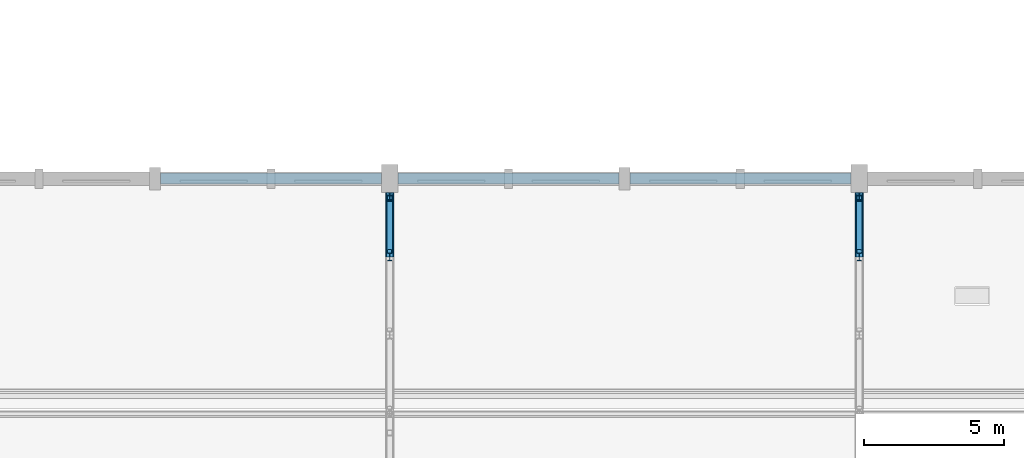
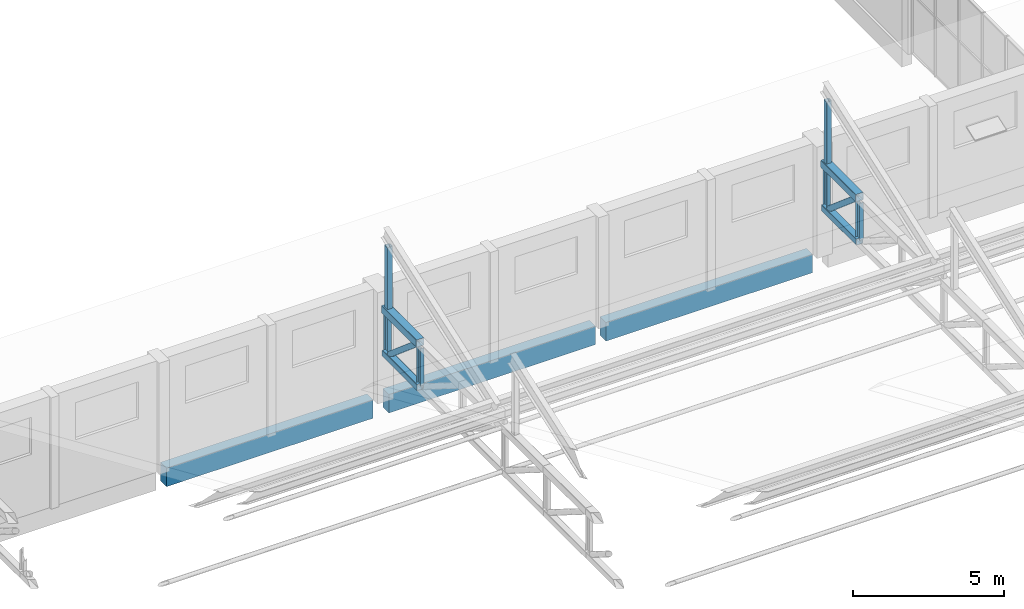
# One storey, part 33 of 101: 12 members, 3 beams.
"""IFC4 building model written with IfcOpenShell, lengths in metres."""

import ifcopenshell
import ifcopenshell.guid

model = None  # the IFC model being written
_history = None  # IfcOwnerHistory: only IFC2X3 demands one
_inside = {}  # id of a spatial element -> (the spatial element, [elements in it])
_under = {}  # id of a project, library or spatial element -> (it, [spatial elements below it])
_declared = {}  # id of a project -> (the project, [libraries it declares])
_typed = {}  # id of a type object -> (the type object, [elements of that type])
_made_of = {}  # id of a material, layer set ... -> (it, [elements and type objects made of it])


def new_model(schema):
    """Start an empty IFC model of exactly this schema.

    Asked for "IFC4X3", IfcOpenShell would pick the latest addendum, in which some entities
    have other attributes; the version numbers below select the first issue.
    IFC2X3 requires an IfcOwnerHistory on every rooted entity: one is made here for all.
    """
    global model, _history
    if schema == "IFC4X3":
        model = ifcopenshell.file(schema_version=(4, 3, 0, 0))
    else:
        model = ifcopenshell.file(schema=schema)
    _inside.clear()
    _under.clear()
    _declared.clear()
    _typed.clear()
    _made_of.clear()
    _history = None
    if model.schema == "IFC2X3":
        org = make("IfcOrganization", Name="unknown")
        user = make(
            "IfcPersonAndOrganization",
            ThePerson=make("IfcPerson", FamilyName="unknown"),
            TheOrganization=org,
        )
        app = make(
            "IfcApplication",
            ApplicationDeveloper=org,
            Version="unknown",
            ApplicationFullName="unknown",
            ApplicationIdentifier="unknown",
        )
        _history = make(
            "IfcOwnerHistory",
            OwningUser=user,
            OwningApplication=app,
            ChangeAction="ADDED",
            CreationDate=0,
        )
    return model


def make(cls, **values):
    """One entity of the class cls with the attributes given. An attribute that is None is left unset."""
    return model.create_entity(
        cls, **{name: value for name, value in values.items() if value is not None}
    )


def rooted(cls, **values):
    """An entity with a GlobalId (a new one), such as an element, a storey or a relation."""
    return make(cls, GlobalId=ifcopenshell.guid.new(), OwnerHistory=_history, **values)


def si_unit(unit_type, name, prefix=None):
    """IfcSIUnit, for example si_unit("LENGTHUNIT", "METRE", prefix="MILLI")."""
    return make("IfcSIUnit", UnitType=unit_type, Prefix=prefix, Name=name)


def assignment(units):
    """IfcUnitAssignment: the units of a project."""
    return None if units is None else make("IfcUnitAssignment", Units=units)


def point(xyz):
    """IfcCartesianPoint."""
    return None if xyz is None else make("IfcCartesianPoint", Coordinates=xyz)


def direction(xyz):
    """IfcDirection."""
    return None if xyz is None else make("IfcDirection", DirectionRatios=xyz)


def frame(location, z_axis=None, x_axis=None):
    """IfcAxis2Placement3D, a coordinate frame: its origin and axes. An axis left out is left unset."""
    return make(
        "IfcAxis2Placement3D",
        Location=point(location),
        Axis=direction(z_axis),
        RefDirection=direction(x_axis),
    )


def frame_2d(location, x_axis=None):
    """IfcAxis2Placement2D, a coordinate frame in the plane: its origin and x axis."""
    return make(
        "IfcAxis2Placement2D", Location=point(location), RefDirection=direction(x_axis)
    )


def origin():
    """The frame at (0, 0, 0) with its axes left unset."""
    return frame((0.0, 0.0, 0.0))


def origin_2d():
    """The frame at (0, 0) in the plane with its x axis left unset."""
    return frame_2d((0.0, 0.0))


def place(relative_to, where):
    """IfcLocalPlacement: puts the frame where relative to a parent placement (None: the world)."""
    return make(
        "IfcLocalPlacement", PlacementRelTo=relative_to, RelativePlacement=where
    )


def context(
    kind, dimensions, precision=None, world=None, true_north=None, identifier=None
):
    """IfcGeometricRepresentationContext, for example the 3D "Model" context."""
    return make(
        "IfcGeometricRepresentationContext",
        ContextIdentifier=identifier,
        ContextType=kind,
        CoordinateSpaceDimension=dimensions,
        Precision=precision,
        WorldCoordinateSystem=world,
        TrueNorth=true_north,
    )


def subcontext(parent, identifier, kind, view, scale=None):
    """IfcGeometricRepresentationSubContext, for example "Body" below "Model"."""
    return make(
        "IfcGeometricRepresentationSubContext",
        ContextIdentifier=identifier,
        ContextType=kind,
        ParentContext=parent,
        TargetScale=scale,
        TargetView=view,
    )


def project(units=None, contexts=None):
    """IfcProject with its units and contexts."""
    return rooted(
        "IfcProject",
        Name="project",
        RepresentationContexts=contexts,
        UnitsInContext=assignment(units),
    )


def spatial(cls, under=None, at=None, **own):
    """A site, building, storey or space (cls), placed at a placement, below another one or the project."""
    s = rooted(cls, ObjectPlacement=at, **own)
    if under is not None:
        _under.setdefault(under.id(), (under, []))[1].append(s)
    return s


def profile(cls, at=None, kind="AREA", **sizes):
    """A parametric profile (cls). Its sizes go by their IFC names, for example OverallWidth=200.0."""
    return make(cls, ProfileType=kind, Position=at, **sizes)


def rectangle(**sizes):
    """IfcRectangleProfileDef."""
    return profile("IfcRectangleProfileDef", **sizes)


def hollow_rectangle(**sizes):
    """IfcRectangleHollowProfileDef."""
    return profile("IfcRectangleHollowProfileDef", **sizes)


def hollow_circle(**sizes):
    """IfcCircleHollowProfileDef."""
    return profile("IfcCircleHollowProfileDef", **sizes)


def i_section(**sizes):
    """IfcIShapeProfileDef."""
    return profile("IfcIShapeProfileDef", **sizes)


def extrude(swept, where, along, depth):
    """IfcExtrudedAreaSolid: the profile swept, set in the frame where, extruded along a direction by depth."""
    return make(
        "IfcExtrudedAreaSolid",
        SweptArea=swept,
        Position=where,
        ExtrudedDirection=direction(along),
        Depth=depth,
    )


def shape(context_of_items, identifier, shape_type, items):
    """IfcShapeRepresentation: the items that make up one representation, for example the "Body"."""
    return make(
        "IfcShapeRepresentation",
        ContextOfItems=context_of_items,
        RepresentationIdentifier=identifier,
        RepresentationType=shape_type,
        Items=items,
    )


def material(Name=None, Category=None):
    """IfcMaterial."""
    return make("IfcMaterial", Name=Name, Category=Category)


def material_profile(
    of_material, cross_section, Name=None, Category=None, Priority=None
):
    """IfcMaterialProfile: a cross section and its material."""
    return make(
        "IfcMaterialProfile",
        Name=Name,
        Material=of_material,
        Profile=cross_section,
        Priority=Priority,
        Category=Category,
    )


def profile_set(profiles, Name=None, composite=None):
    """IfcMaterialProfileSet."""
    return make(
        "IfcMaterialProfileSet",
        Name=Name,
        MaterialProfiles=profiles,
        CompositeProfile=composite,
    )


def made_of(thing, what):
    """Note that an element or type object is made of a material, layer set ...; save() writes the relation."""
    if what is not None:
        _made_of.setdefault(what.id(), (what, []))[1].append(thing)
    return thing


def type_object(cls, material=None, **own):
    """A type object (cls), such as IfcWallType, which elements share."""
    return made_of(rooted(cls, **own), material)


def element(
    cls,
    number,
    at=None,
    inside=None,
    cuts=None,
    type_object=None,
    material=None,
    context=None,
    identifier="Body",
    shape_type=None,
    held_by="IfcProductDefinitionShape",
    body=None,
    shapes=None,
    **own,
):
    """One element of the class cls, such as IfcWall. Its Tag is "e" and its number.

    at: its placement. inside: the storey or other place that contains it. cuts: it is an
    opening in that element (IfcRelVoidsElement). A single representation is given by context,
    identifier, shape_type and body (its items); several are given by shapes. held_by: the class
    of the entity that holds the representations. save() writes the other relations.
    """
    e = rooted(cls, Tag="e%d" % number, ObjectPlacement=at, **own)
    if body is not None:
        shapes = [shape(context, identifier, shape_type, body)]
    if shapes is not None:
        e.Representation = make(held_by, Representations=shapes)
    if inside is not None:
        _inside.setdefault(inside.id(), (inside, []))[1].append(e)
    if cuts is not None:
        rooted(
            "IfcRelVoidsElement", RelatingBuildingElement=cuts, RelatedOpeningElement=e
        )
    if type_object is not None:
        _typed.setdefault(type_object.id(), (type_object, []))[1].append(e)
    return made_of(e, material)


def aggregate(whole, parts):
    """IfcRelAggregates: a whole, such as a stair, and the parts it consists of."""
    return rooted("IfcRelAggregates", RelatingObject=whole, RelatedObjects=parts)


def save(model, path):
    """Write the relations noted so far, then the file.

    IfcRelAggregates (storeys below a building ...), IfcRelContainedInSpatialStructure (elements
    in a storey), IfcRelDefinesByType, IfcRelAssociatesMaterial and IfcRelDeclares: one each for
    every whole, place, type object, material and project.
    """
    for whole, parts in _under.values():
        aggregate(whole, parts)
    for where, things in _inside.values():
        rooted(
            "IfcRelContainedInSpatialStructure",
            RelatedElements=things,
            RelatingStructure=where,
        )
    for kind, things in _typed.values():
        rooted("IfcRelDefinesByType", RelatedObjects=things, RelatingType=kind)
    for what, things in _made_of.values():
        rooted("IfcRelAssociatesMaterial", RelatedObjects=things, RelatingMaterial=what)
    for by, libraries in _declared.values():
        rooted("IfcRelDeclares", RelatingContext=by, RelatedDefinitions=libraries)
    model.write(path)


model = new_model("IFC4")

# Units and contexts
model_context = context("Model", 3, precision=1e-05, world=origin(), true_north=direction((0.0, 1.0)))
body_context = subcontext(model_context, "Body", "Model", "MODEL_VIEW")
ifc_project = project(units=[si_unit("LENGTHUNIT", "METRE"), si_unit("AREAUNIT", "SQUARE_METRE"), si_unit("VOLUMEUNIT", "CUBIC_METRE"), si_unit("PLANEANGLEUNIT", "RADIAN"), si_unit("MASSUNIT", "GRAM", prefix="KILO")], contexts=[model_context])

# Site, building, storey
site_placement = place(None, origin())
site = spatial("IfcSite", under=ifc_project, at=site_placement, CompositionType="ELEMENT")
building_placement = place(site_placement, origin())
building = spatial("IfcBuilding", under=site, at=building_placement, Name="Fescue Hill Polytechnic", CompositionType="ELEMENT")
storey_placement = place(building_placement, frame((0.0, 0.0, 9.0)))
storey = spatial("IfcBuildingStorey", under=building, at=storey_placement, Name="L02", CompositionType="ELEMENT", Elevation=9.0)

# Beams
ifc_material_1 = material(Name="Concrete 35 MPa", Category="concrete")
ifc_material_profile_1 = material_profile(ifc_material_1, rectangle(XDim=0.39990234375, YDim=0.75, at=origin_2d()), Name="RC 400x750")
ifc_profile_set_1 = profile_set([ifc_material_profile_1], Name="Concrete 35 MPa")
beam_type = type_object("IfcBeamType", Name="Beam RC 400x750", PredefinedType="BEAM", material=ifc_profile_set_1)
for number, where, z_axis, x_axis, name in (
    (1, (66.89990234375, 50.39990234375, -0.375), (-1.0, 0.0, 0.0), (0.0, -1.0, 0.0), "BM-L02-0155"),
    (2, (75.39990234375, 50.39990234375, -0.375), (-1.0, 0.0, 0.0), (0.0, -1.0, 0.0), "BM-L02-0156"),
    (3, (83.699951171875, 50.39990234375, -0.375), (-1.0, 0.0, 0.0), (0.0, -1.0, 0.0), "BM-L02-0157"),
):
    element("IfcBeam", number, at=place(storey_placement, frame(where, z_axis=z_axis, x_axis=x_axis)), inside=storey, type_object=beam_type, Name=name, PredefinedType="BEAM", context=body_context, shape_type="SweptSolid", body=[
        extrude(rectangle(XDim=0.39990234375, YDim=0.75, at=origin_2d()), origin(), (0.0, 0.0, 1.0), 7.89990234375),
    ])

# Members
ifc_material_2 = material(Name="Steel 350W (350 MPa)", Category="steel")
ifc_material_profile_2 = material_profile(ifc_material_2, hollow_rectangle(XDim=0.25390625, YDim=0.25390625, WallThickness=0.0126953125, InnerFilletRadius=0.0126953125, OuterFilletRadius=0.025390625, at=origin_2d()), Name="Hall truss bottom chord HSS 254x254x13")
ifc_profile_set_2 = profile_set([ifc_material_profile_2], Name="Steel 350W (350 MPa)")
member_type_1 = type_object("IfcMemberType", Name="Hall truss bottom chord HSS 254x254x13", PredefinedType="CHORD", material=ifc_profile_set_2)
for number, where, z_axis, x_axis, name in (
    (4, (67.199951171875, 47.60009765625, 2.0), (0.0, 1.0, 0.0), (-1.0, 0.0, 0.0), "Truss TR5 bottom chord 12"),
    (5, (84.0, 47.60009765625, 2.0), (0.0, 1.0, 0.0), (-1.0, 0.0, 0.0), "Truss TR6 bottom chord 12"),
):
    element("IfcMember", number, at=place(storey_placement, frame(where, z_axis=z_axis, x_axis=x_axis)), inside=storey, type_object=member_type_1, Name=name, PredefinedType="CHORD", context=body_context, shape_type="SweptSolid", body=[
        extrude(hollow_rectangle(XDim=0.25390625, YDim=0.25390625, WallThickness=0.0126953125, InnerFilletRadius=0.0126953125, OuterFilletRadius=0.025390625, at=origin_2d()), origin(), (0.0, 0.0, 1.0), 2.2998046875),
    ])
ifc_material_profile_3 = material_profile(ifc_material_2, hollow_circle(Radius=0.109619140625, WallThickness=0.009521484375, at=origin_2d()), Name="Hall truss diagonal CHS 219x9.5")
ifc_profile_set_3 = profile_set([ifc_material_profile_3], Name="Steel 350W (350 MPa)")
member_type_2 = type_object("IfcMemberType", Name="Hall truss diagonal CHS 219x9.5", PredefinedType="BRACE", material=ifc_profile_set_3)
for number, where, z_axis, x_axis, name in (
    (6, (67.199951171875, 47.800048828125, 3.631103515625), (0.0, 0.761443253909, -0.648231572107), (-1.0, 0.0, 0.0), "Truss TR5 diagonal 12"),
    (7, (84.0, 47.800048828125, 3.631103515625), (0.0, 0.761443253909, -0.648231572107), (-1.0, 0.0, 0.0), "Truss TR6 diagonal 12"),
):
    element("IfcMember", number, at=place(storey_placement, frame(where, z_axis=z_axis, x_axis=x_axis)), inside=storey, type_object=member_type_2, Name=name, PredefinedType="BRACE", context=body_context, shape_type="SweptSolid", body=[
        extrude(hollow_circle(Radius=0.109619140625, WallThickness=0.009521484375, at=origin_2d()), origin(), (0.0, 0.0, 1.0), 2.3203125),
    ])
ifc_material_profile_4 = material_profile(ifc_material_2, i_section(OverallWidth=0.14794921875, OverallDepth=0.26611328125, WebThickness=0.007568359375, FlangeThickness=0.012939453125, FilletRadius=0.013916015625, at=origin_2d()), Name="W250x45")
ifc_profile_set_4 = profile_set([ifc_material_profile_4], Name="Steel 350W (350 MPa)")
member_type_3 = type_object("IfcMemberType", Name="Hall truss post W250x45", PredefinedType="POST", material=ifc_profile_set_4)
for number, where, z_axis, x_axis, name in (
    (8, (67.199951171875, 47.60009765625, 2.126953125), (0.0, 0.0, 1.0), (1.0, 0.0, 0.0), "Truss TR5 post 12"),
    (9, (67.199951171875, 49.76708984375, 2.126953125), (0.0, 0.0, 1.0), (1.0, 0.0, 0.0), "Truss TR5 post 13"),
    (10, (84.0, 47.60009765625, 2.126953125), (0.0, 0.0, 1.0), (1.0, 0.0, 0.0), "Truss TR6 post 12"),
    (11, (84.0, 49.76708984375, 2.126953125), (0.0, 0.0, 1.0), (1.0, 0.0, 0.0), "Truss TR6 post 13"),
):
    element("IfcMember", number, at=place(storey_placement, frame(where, z_axis=z_axis, x_axis=x_axis)), inside=storey, type_object=member_type_3, Name=name, PredefinedType="POST", context=body_context, shape_type="SweptSolid", body=[
        extrude(i_section(OverallWidth=0.14794921875, OverallDepth=0.26611328125, WebThickness=0.007568359375, FlangeThickness=0.012939453125, FilletRadius=0.013916015625, at=origin_2d()), origin(), (0.0, 0.0, 1.0), 1.504150390625),
    ])
ifc_material_profile_5 = material_profile(ifc_material_2, hollow_rectangle(XDim=0.3046875, YDim=0.3046875, WallThickness=0.0126953125, InnerFilletRadius=0.0126953125, OuterFilletRadius=0.025390625, at=origin_2d()), Name="Hall truss top chord HSS 305x305x13")
ifc_profile_set_5 = profile_set([ifc_material_profile_5], Name="Steel 350W (350 MPa)")
member_type_4 = type_object("IfcMemberType", Name="Hall truss top chord HSS 305x305x13", PredefinedType="CHORD", material=ifc_profile_set_5)
for number, where, z_axis, x_axis, name in (
    (12, (67.199951171875, 47.60009765625, 3.783447265625), (0.0, 1.0, 0.0), (-1.0, 0.0, 0.0), "Truss TR5 top chord 12"),
    (13, (84.0, 47.60009765625, 3.783447265625), (0.0, 1.0, 0.0), (-1.0, 0.0, 0.0), "Truss TR6 top chord 12"),
):
    element("IfcMember", number, at=place(storey_placement, frame(where, z_axis=z_axis, x_axis=x_axis)), inside=storey, type_object=member_type_4, Name=name, PredefinedType="CHORD", context=body_context, shape_type="SweptSolid", body=[
        extrude(hollow_rectangle(XDim=0.3046875, YDim=0.3046875, WallThickness=0.0126953125, InnerFilletRadius=0.0126953125, OuterFilletRadius=0.025390625, at=origin_2d()), origin(), (0.0, 0.0, 1.0), 2.2998046875),
    ])
ifc_material_profile_6 = material_profile(ifc_material_2, hollow_rectangle(XDim=0.203125, YDim=0.203125, WallThickness=0.009521484375, InnerFilletRadius=0.009521484375, OuterFilletRadius=0.01904296875, at=origin_2d()), Name="Tooth ridge post HSS 203x203x9.5")
ifc_profile_set_6 = profile_set([ifc_material_profile_6], Name="Steel 350W (350 MPa)")
member_type_5 = type_object("IfcMemberType", Name="Tooth ridge post HSS 203x203x9.5", PredefinedType="POST", material=ifc_profile_set_6)
for number, where, z_axis, x_axis, name in (
    (14, (67.199951171875, 49.699951171875, 3.93603515625), (0.0, 0.0, 1.0), (1.0, 0.0, 0.0), "Tooth 4 ridge post on TR5"),
    (15, (84.0, 49.699951171875, 3.93603515625), (0.0, 0.0, 1.0), (1.0, 0.0, 0.0), "Tooth 4 ridge post on TR6"),
):
    element("IfcMember", number, at=place(storey_placement, frame(where, z_axis=z_axis, x_axis=x_axis)), inside=storey, type_object=member_type_5, Name=name, PredefinedType="POST", context=body_context, shape_type="SweptSolid", body=[
        extrude(hollow_rectangle(XDim=0.203125, YDim=0.203125, WallThickness=0.009521484375, InnerFilletRadius=0.009521484375, OuterFilletRadius=0.01904296875, at=origin_2d()), origin(), (0.0, 0.0, 1.0), 2.499267578125),
    ])

save(model, "model.ifc")
